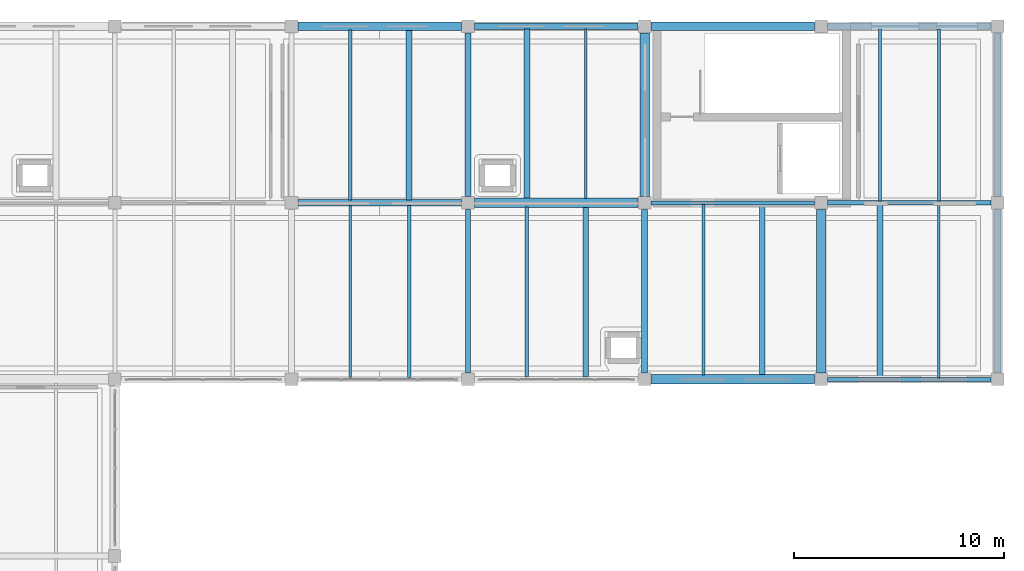
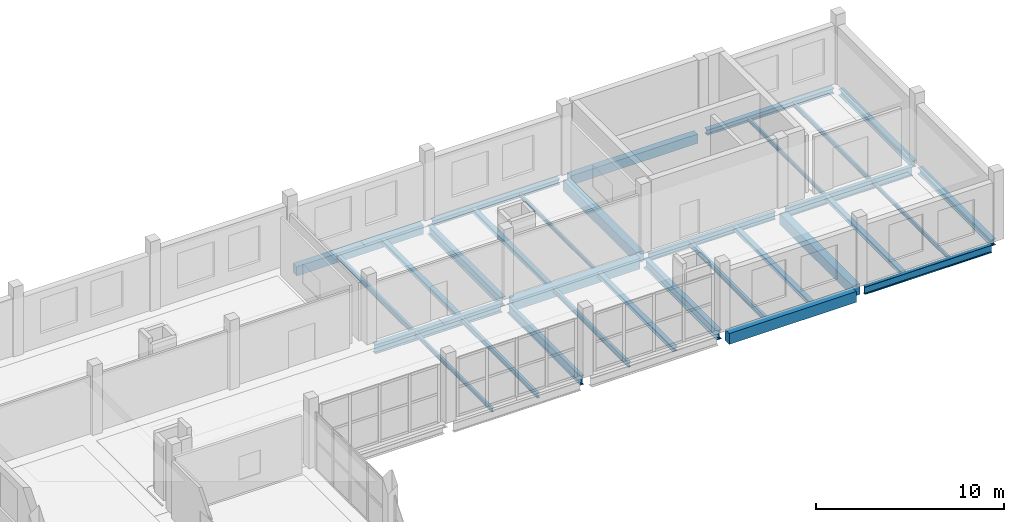
# One storey, part 33 of 54: 31 beams.
"""IFC4 building model written with IfcOpenShell, lengths in metres."""

import ifcopenshell
import ifcopenshell.guid

model = None  # the IFC model being written
_history = None  # IfcOwnerHistory: only IFC2X3 demands one
_inside = {}  # id of a spatial element -> (the spatial element, [elements in it])
_under = {}  # id of a project, library or spatial element -> (it, [spatial elements below it])
_declared = {}  # id of a project -> (the project, [libraries it declares])
_typed = {}  # id of a type object -> (the type object, [elements of that type])
_made_of = {}  # id of a material, layer set ... -> (it, [elements and type objects made of it])


def new_model(schema):
    """Start an empty IFC model of exactly this schema.

    Asked for "IFC4X3", IfcOpenShell would pick the latest addendum, in which some entities
    have other attributes; the version numbers below select the first issue.
    IFC2X3 requires an IfcOwnerHistory on every rooted entity: one is made here for all.
    """
    global model, _history
    if schema == "IFC4X3":
        model = ifcopenshell.file(schema_version=(4, 3, 0, 0))
    else:
        model = ifcopenshell.file(schema=schema)
    _inside.clear()
    _under.clear()
    _declared.clear()
    _typed.clear()
    _made_of.clear()
    _history = None
    if model.schema == "IFC2X3":
        org = make("IfcOrganization", Name="unknown")
        user = make(
            "IfcPersonAndOrganization",
            ThePerson=make("IfcPerson", FamilyName="unknown"),
            TheOrganization=org,
        )
        app = make(
            "IfcApplication",
            ApplicationDeveloper=org,
            Version="unknown",
            ApplicationFullName="unknown",
            ApplicationIdentifier="unknown",
        )
        _history = make(
            "IfcOwnerHistory",
            OwningUser=user,
            OwningApplication=app,
            ChangeAction="ADDED",
            CreationDate=0,
        )
    return model


def make(cls, **values):
    """One entity of the class cls with the attributes given. An attribute that is None is left unset."""
    return model.create_entity(
        cls, **{name: value for name, value in values.items() if value is not None}
    )


def rooted(cls, **values):
    """An entity with a GlobalId (a new one), such as an element, a storey or a relation."""
    return make(cls, GlobalId=ifcopenshell.guid.new(), OwnerHistory=_history, **values)


def si_unit(unit_type, name, prefix=None):
    """IfcSIUnit, for example si_unit("LENGTHUNIT", "METRE", prefix="MILLI")."""
    return make("IfcSIUnit", UnitType=unit_type, Prefix=prefix, Name=name)


def assignment(units):
    """IfcUnitAssignment: the units of a project."""
    return None if units is None else make("IfcUnitAssignment", Units=units)


def point(xyz):
    """IfcCartesianPoint."""
    return None if xyz is None else make("IfcCartesianPoint", Coordinates=xyz)


def direction(xyz):
    """IfcDirection."""
    return None if xyz is None else make("IfcDirection", DirectionRatios=xyz)


def frame(location, z_axis=None, x_axis=None):
    """IfcAxis2Placement3D, a coordinate frame: its origin and axes. An axis left out is left unset."""
    return make(
        "IfcAxis2Placement3D",
        Location=point(location),
        Axis=direction(z_axis),
        RefDirection=direction(x_axis),
    )


def frame_2d(location, x_axis=None):
    """IfcAxis2Placement2D, a coordinate frame in the plane: its origin and x axis."""
    return make(
        "IfcAxis2Placement2D", Location=point(location), RefDirection=direction(x_axis)
    )


def origin():
    """The frame at (0, 0, 0) with its axes left unset."""
    return frame((0.0, 0.0, 0.0))


def origin_2d():
    """The frame at (0, 0) in the plane with its x axis left unset."""
    return frame_2d((0.0, 0.0))


def place(relative_to, where):
    """IfcLocalPlacement: puts the frame where relative to a parent placement (None: the world)."""
    return make(
        "IfcLocalPlacement", PlacementRelTo=relative_to, RelativePlacement=where
    )


def context(
    kind, dimensions, precision=None, world=None, true_north=None, identifier=None
):
    """IfcGeometricRepresentationContext, for example the 3D "Model" context."""
    return make(
        "IfcGeometricRepresentationContext",
        ContextIdentifier=identifier,
        ContextType=kind,
        CoordinateSpaceDimension=dimensions,
        Precision=precision,
        WorldCoordinateSystem=world,
        TrueNorth=true_north,
    )


def subcontext(parent, identifier, kind, view, scale=None):
    """IfcGeometricRepresentationSubContext, for example "Body" below "Model"."""
    return make(
        "IfcGeometricRepresentationSubContext",
        ContextIdentifier=identifier,
        ContextType=kind,
        ParentContext=parent,
        TargetScale=scale,
        TargetView=view,
    )


def project(units=None, contexts=None):
    """IfcProject with its units and contexts."""
    return rooted(
        "IfcProject",
        Name="project",
        RepresentationContexts=contexts,
        UnitsInContext=assignment(units),
    )


def spatial(cls, under=None, at=None, **own):
    """A site, building, storey or space (cls), placed at a placement, below another one or the project."""
    s = rooted(cls, ObjectPlacement=at, **own)
    if under is not None:
        _under.setdefault(under.id(), (under, []))[1].append(s)
    return s


def profile(cls, at=None, kind="AREA", **sizes):
    """A parametric profile (cls). Its sizes go by their IFC names, for example OverallWidth=200.0."""
    return make(cls, ProfileType=kind, Position=at, **sizes)


def rectangle(**sizes):
    """IfcRectangleProfileDef."""
    return profile("IfcRectangleProfileDef", **sizes)


def i_section(**sizes):
    """IfcIShapeProfileDef."""
    return profile("IfcIShapeProfileDef", **sizes)


def extrude(swept, where, along, depth):
    """IfcExtrudedAreaSolid: the profile swept, set in the frame where, extruded along a direction by depth."""
    return make(
        "IfcExtrudedAreaSolid",
        SweptArea=swept,
        Position=where,
        ExtrudedDirection=direction(along),
        Depth=depth,
    )


def shape(context_of_items, identifier, shape_type, items):
    """IfcShapeRepresentation: the items that make up one representation, for example the "Body"."""
    return make(
        "IfcShapeRepresentation",
        ContextOfItems=context_of_items,
        RepresentationIdentifier=identifier,
        RepresentationType=shape_type,
        Items=items,
    )


def material(Name=None, Category=None):
    """IfcMaterial."""
    return make("IfcMaterial", Name=Name, Category=Category)


def material_profile(
    of_material, cross_section, Name=None, Category=None, Priority=None
):
    """IfcMaterialProfile: a cross section and its material."""
    return make(
        "IfcMaterialProfile",
        Name=Name,
        Material=of_material,
        Profile=cross_section,
        Priority=Priority,
        Category=Category,
    )


def profile_set(profiles, Name=None, composite=None):
    """IfcMaterialProfileSet."""
    return make(
        "IfcMaterialProfileSet",
        Name=Name,
        MaterialProfiles=profiles,
        CompositeProfile=composite,
    )


def made_of(thing, what):
    """Note that an element or type object is made of a material, layer set ...; save() writes the relation."""
    if what is not None:
        _made_of.setdefault(what.id(), (what, []))[1].append(thing)
    return thing


def type_object(cls, material=None, **own):
    """A type object (cls), such as IfcWallType, which elements share."""
    return made_of(rooted(cls, **own), material)


def element(
    cls,
    number,
    at=None,
    inside=None,
    cuts=None,
    type_object=None,
    material=None,
    context=None,
    identifier="Body",
    shape_type=None,
    held_by="IfcProductDefinitionShape",
    body=None,
    shapes=None,
    **own,
):
    """One element of the class cls, such as IfcWall. Its Tag is "e" and its number.

    at: its placement. inside: the storey or other place that contains it. cuts: it is an
    opening in that element (IfcRelVoidsElement). A single representation is given by context,
    identifier, shape_type and body (its items); several are given by shapes. held_by: the class
    of the entity that holds the representations. save() writes the other relations.
    """
    e = rooted(cls, Tag="e%d" % number, ObjectPlacement=at, **own)
    if body is not None:
        shapes = [shape(context, identifier, shape_type, body)]
    if shapes is not None:
        e.Representation = make(held_by, Representations=shapes)
    if inside is not None:
        _inside.setdefault(inside.id(), (inside, []))[1].append(e)
    if cuts is not None:
        rooted(
            "IfcRelVoidsElement", RelatingBuildingElement=cuts, RelatedOpeningElement=e
        )
    if type_object is not None:
        _typed.setdefault(type_object.id(), (type_object, []))[1].append(e)
    return made_of(e, material)


def aggregate(whole, parts):
    """IfcRelAggregates: a whole, such as a stair, and the parts it consists of."""
    return rooted("IfcRelAggregates", RelatingObject=whole, RelatedObjects=parts)


def save(model, path):
    """Write the relations noted so far, then the file.

    IfcRelAggregates (storeys below a building ...), IfcRelContainedInSpatialStructure (elements
    in a storey), IfcRelDefinesByType, IfcRelAssociatesMaterial and IfcRelDeclares: one each for
    every whole, place, type object, material and project.
    """
    for whole, parts in _under.values():
        aggregate(whole, parts)
    for where, things in _inside.values():
        rooted(
            "IfcRelContainedInSpatialStructure",
            RelatedElements=things,
            RelatingStructure=where,
        )
    for kind, things in _typed.values():
        rooted("IfcRelDefinesByType", RelatedObjects=things, RelatingType=kind)
    for what, things in _made_of.values():
        rooted("IfcRelAssociatesMaterial", RelatedObjects=things, RelatingMaterial=what)
    for by, libraries in _declared.values():
        rooted("IfcRelDeclares", RelatingContext=by, RelatedDefinitions=libraries)
    model.write(path)


model = new_model("IFC4")

# Units and contexts
model_context = context("Model", 3, precision=1e-05, world=origin(), true_north=direction((0.0, 1.0)))
body_context = subcontext(model_context, "Body", "Model", "MODEL_VIEW")
ifc_project = project(units=[si_unit("LENGTHUNIT", "METRE"), si_unit("AREAUNIT", "SQUARE_METRE"), si_unit("VOLUMEUNIT", "CUBIC_METRE"), si_unit("PLANEANGLEUNIT", "RADIAN"), si_unit("MASSUNIT", "GRAM", prefix="KILO")], contexts=[model_context])

# Site, building, storey
site_placement = place(None, origin())
site = spatial("IfcSite", under=ifc_project, at=site_placement, CompositionType="ELEMENT")
building_placement = place(site_placement, origin())
building = spatial("IfcBuilding", under=site, at=building_placement, Name="Zulmaris Art Gallery", CompositionType="ELEMENT")
storey_placement = place(building_placement, frame((0.0, 0.0, 26.39990234375)))
storey = spatial("IfcBuildingStorey", under=building, at=storey_placement, Name="L05", CompositionType="ELEMENT", Elevation=26.39990234375)

# Beams
ifc_material_1 = material(Name="Steel S355J2", Category="steel")
ifc_material_profile_1 = material_profile(ifc_material_1, i_section(OverallWidth=0.199951171875, OverallDepth=0.5, WebThickness=0.01025390625, FlangeThickness=0.01611328125, FilletRadius=0.02099609375, at=origin_2d()), Name="IPE 500")
ifc_profile_set_1 = profile_set([ifc_material_profile_1], Name="Steel S355J2")
beam_type_1 = type_object("IfcBeamType", Name="BEAM-BM05", PredefinedType="BEAM", material=ifc_profile_set_1)
for number, where, z_axis, x_axis, name in (
    (1, (192.31005859375, 58.800048828125, -0.559814453125), (1.0, 0.0, 0.0), (0.0, 1.0, 0.0), "L05 X-girder (192.0..200.4, y=58.8)"),
    (2, (183.909912109375, 67.199951171875, -0.559814453125), (1.0, 0.0, 0.0), (0.0, 1.0, 0.0), "L05 X-girder (183.6..192.0, y=67.2)"),
):
    element("IfcBeam", number, at=place(storey_placement, frame(where, z_axis=z_axis, x_axis=x_axis)), inside=storey, type_object=beam_type_1, Name=name, PredefinedType="BEAM", context=body_context, shape_type="SweptSolid", body=[
        extrude(i_section(OverallWidth=0.199951171875, OverallDepth=0.5, WebThickness=0.01025390625, FlangeThickness=0.01611328125, FilletRadius=0.02099609375, at=origin_2d()), origin(), (0.0, 0.0, 1.0), 7.780029296875),
    ])
ifc_material_profile_2 = material_profile(ifc_material_1, i_section(OverallWidth=0.219970703125, OverallDepth=0.60009765625, WebThickness=0.011962890625, FlangeThickness=0.01904296875, FilletRadius=0.02392578125, at=origin_2d()), Name="IPE 600")
ifc_profile_set_2 = profile_set([ifc_material_profile_2], Name="Steel S355J2")
beam_type_2 = type_object("IfcBeamType", Name="BEAM-BM07", PredefinedType="BEAM", material=ifc_profile_set_2)
beam_1_placement = place(storey_placement, frame((192.31005859375, 67.199951171875, -0.60986328125), z_axis=(1.0, 0.0, 0.0), x_axis=(0.0, 1.0, 0.0)))
element("IfcBeam", 3, at=beam_1_placement, inside=storey, type_object=beam_type_2, Name="L05 X-girder (192.0..200.4, y=67.2)", PredefinedType="BEAM", context=body_context, shape_type="SweptSolid", body=[
    extrude(i_section(OverallWidth=0.219970703125, OverallDepth=0.60009765625, WebThickness=0.011962890625, FlangeThickness=0.01904296875, FilletRadius=0.02392578125, at=origin_2d()), origin(), (0.0, 0.0, 1.0), 7.780029296875),
])
beam_2_placement = place(storey_placement, frame((175.199951171875, 59.110107421875, -0.60986328125), z_axis=(0.0, 1.0, 0.0), x_axis=(-1.0, 0.0, 0.0)))
element("IfcBeam", 4, at=beam_2_placement, inside=storey, type_object=beam_type_2, Name="L05 Y-girder (x=175.2, 58.8..67.2)", PredefinedType="BEAM", context=body_context, shape_type="SweptSolid", body=[
    extrude(i_section(OverallWidth=0.219970703125, OverallDepth=0.60009765625, WebThickness=0.011962890625, FlangeThickness=0.01904296875, FilletRadius=0.02392578125, at=origin_2d()), origin(), (0.0, 0.0, 1.0), 7.77978515625),
])
ifc_material_profile_3 = material_profile(ifc_material_1, i_section(OverallWidth=0.300048828125, OverallDepth=0.60009765625, WebThickness=0.015380859375, FlangeThickness=0.030029296875, FilletRadius=0.027099609375, at=origin_2d()), Name="HEB 600")
ifc_profile_set_3 = profile_set([ifc_material_profile_3], Name="Steel S355J2")
beam_type_3 = type_object("IfcBeamType", Name="BEAM-BM15", PredefinedType="BEAM", material=ifc_profile_set_3)
beam_3_placement = place(storey_placement, frame((167.110107421875, 67.199951171875, -0.60986328125), z_axis=(1.0, 0.0, 0.0), x_axis=(0.0, 1.0, 0.0)))
element("IfcBeam", 5, at=beam_3_placement, inside=storey, type_object=beam_type_3, Name="L05 X-girder (166.8..175.2, y=67.2)", PredefinedType="BEAM", context=body_context, shape_type="SweptSolid", body=[
    extrude(i_section(OverallWidth=0.300048828125, OverallDepth=0.60009765625, WebThickness=0.015380859375, FlangeThickness=0.030029296875, FilletRadius=0.027099609375, at=origin_2d()), origin(), (0.0, 0.0, 1.0), 7.77978515625),
])
beam_4_placement = place(storey_placement, frame((175.199951171875, 67.510009765625, -0.60986328125), z_axis=(0.0, 1.0, 0.0), x_axis=(-1.0, 0.0, 0.0)))
element("IfcBeam", 6, at=beam_4_placement, inside=storey, type_object=beam_type_3, Name="L05 Y-girder (x=175.2, 67.2..75.6)", PredefinedType="BEAM", context=body_context, shape_type="SweptSolid", body=[
    extrude(i_section(OverallWidth=0.300048828125, OverallDepth=0.60009765625, WebThickness=0.015380859375, FlangeThickness=0.030029296875, FilletRadius=0.027099609375, at=origin_2d()), origin(), (0.0, 0.0, 1.0), 7.780029296875),
])
beam_5_placement = place(storey_placement, frame((183.60009765625, 59.110107421875, -0.60986328125), z_axis=(0.0, 1.0, 0.0), x_axis=(-1.0, 0.0, 0.0)))
element("IfcBeam", 7, at=beam_5_placement, inside=storey, type_object=beam_type_3, Name="L05 Y-girder (x=183.6, 58.8..67.2)", PredefinedType="BEAM", context=body_context, shape_type="SweptSolid", body=[
    extrude(i_section(OverallWidth=0.300048828125, OverallDepth=0.60009765625, WebThickness=0.015380859375, FlangeThickness=0.030029296875, FilletRadius=0.027099609375, at=origin_2d()), origin(), (0.0, 0.0, 1.0), 7.77978515625),
])
ifc_material_2 = material(Name="Concrete C40/50", Category="concrete")
ifc_material_profile_4 = material_profile(ifc_material_2, rectangle(XDim=0.449951171875, YDim=0.699951171875, at=origin_2d()), Name="RC 450x700")
ifc_profile_set_4 = profile_set([ifc_material_profile_4], Name="Concrete C40/50")
beam_type_4 = type_object("IfcBeamType", Name="BEAM-BM19", PredefinedType="BEAM", material=ifc_profile_set_4)
for number, where, z_axis, x_axis, name in (
    (8, (183.909912109375, 58.800048828125, -0.659912109375), (1.0, 0.0, 0.0), (0.0, 1.0, 0.0), "L05 X-girder (183.6..192.0, y=58.8)"),
    (9, (175.510009765625, 67.199951171875, -0.659912109375), (1.0, 0.0, 0.0), (0.0, 1.0, 0.0), "L05 X-girder (175.2..183.6, y=67.2)"),
    (10, (183.60009765625, 67.510009765625, -0.659912109375), (0.0, 1.0, 0.0), (-1.0, 0.0, 0.0), "L05 Y-girder (x=183.6, 67.2..75.6)"),
):
    element("IfcBeam", number, at=place(storey_placement, frame(where, z_axis=z_axis, x_axis=x_axis)), inside=storey, type_object=beam_type_4, Name=name, PredefinedType="BEAM", context=body_context, shape_type="SweptSolid", body=[
        extrude(rectangle(XDim=0.449951171875, YDim=0.699951171875, at=origin_2d()), origin(), (0.0, 0.0, 1.0), 7.780029296875),
    ])
beam_6_placement = place(storey_placement, frame((192.0, 59.110107421875, -0.659912109375), z_axis=(0.0, 1.0, 0.0), x_axis=(-1.0, 0.0, 0.0)))
element("IfcBeam", 11, at=beam_6_placement, inside=storey, type_object=beam_type_4, Name="L05 Y-girder (x=192.0, 58.8..67.2)", PredefinedType="BEAM", context=body_context, shape_type="SweptSolid", body=[
    extrude(rectangle(XDim=0.449951171875, YDim=0.699951171875, at=origin_2d()), origin(), (0.0, 0.0, 1.0), 7.77978515625),
])
ifc_material_profile_5 = material_profile(ifc_material_1, i_section(OverallWidth=0.1201171875, OverallDepth=0.239990234375, WebThickness=0.006103515625, FlangeThickness=0.009765625, FilletRadius=0.014892578125, at=origin_2d()), Name="IPE 240")
ifc_profile_set_5 = profile_set([ifc_material_profile_5], Name="Steel S355J2")
beam_type_5 = type_object("IfcBeamType", Name="BEAM-JS01", PredefinedType="JOIST", material=ifc_profile_set_5)
beam_7_placement = place(storey_placement, frame((180.800048828125, 67.39990234375, -0.429931640625), z_axis=(0.0, 1.0, 0.0), x_axis=(-1.0, 0.0, 0.0)))
element("IfcBeam", 12, at=beam_7_placement, inside=storey, type_object=beam_type_5, Name="L05 secondary joist at x=180.8", PredefinedType="JOIST", context=body_context, shape_type="SweptSolid", body=[
    extrude(i_section(OverallWidth=0.1201171875, OverallDepth=0.239990234375, WebThickness=0.006103515625, FlangeThickness=0.009765625, FilletRadius=0.014892578125, at=origin_2d()), origin(), (0.0, 0.0, 1.0), 8.0751953125),
])
beam_8_placement = place(storey_placement, frame((197.60009765625, 58.875, -0.429931640625), z_axis=(0.0, 1.0, 0.0), x_axis=(-1.0, 0.0, 0.0)))
element("IfcBeam", 13, at=beam_8_placement, inside=storey, type_object=beam_type_5, Name="L05 secondary joist at x=197.6", PredefinedType="JOIST", context=body_context, shape_type="SweptSolid", body=[
    extrude(i_section(OverallWidth=0.1201171875, OverallDepth=0.239990234375, WebThickness=0.006103515625, FlangeThickness=0.009765625, FilletRadius=0.014892578125, at=origin_2d()), origin(), (0.0, 0.0, 1.0), 8.239990234375),
])
beam_9_placement = place(storey_placement, frame((194.800048828125, 67.284912109375, -0.429931640625), z_axis=(0.0, 1.0, 0.0), x_axis=(-1.0, 0.0, 0.0)))
element("IfcBeam", 14, at=beam_9_placement, inside=storey, type_object=beam_type_5, Name="L05 secondary joist at x=194.8", PredefinedType="JOIST", context=body_context, shape_type="SweptSolid", body=[
    extrude(i_section(OverallWidth=0.1201171875, OverallDepth=0.239990234375, WebThickness=0.006103515625, FlangeThickness=0.009765625, FilletRadius=0.014892578125, at=origin_2d()), origin(), (0.0, 0.0, 1.0), 8.190185546875),
])
ifc_material_profile_6 = material_profile(ifc_material_1, i_section(OverallWidth=0.135009765625, OverallDepth=0.27001953125, WebThickness=0.006591796875, FlangeThickness=0.01025390625, FilletRadius=0.014892578125, at=origin_2d()), Name="IPE 270")
ifc_profile_set_6 = profile_set([ifc_material_profile_6], Name="Steel S355J2")
beam_type_6 = type_object("IfcBeamType", Name="BEAM-JS02", PredefinedType="JOIST", material=ifc_profile_set_6)
beam_10_placement = place(storey_placement, frame((169.60009765625, 58.885009765625, -0.44482421875), z_axis=(0.0, 1.0, 0.0), x_axis=(-1.0, 0.0, 0.0)))
element("IfcBeam", 15, at=beam_10_placement, inside=storey, type_object=beam_type_6, Name="L05 secondary joist at x=169.6", PredefinedType="JOIST", context=body_context, shape_type="SweptSolid", body=[
    extrude(i_section(OverallWidth=0.135009765625, OverallDepth=0.27001953125, WebThickness=0.006591796875, FlangeThickness=0.01025390625, FilletRadius=0.014892578125, at=origin_2d()), origin(), (0.0, 0.0, 1.0), 8.18994140625),
])
beam_11_placement = place(storey_placement, frame((197.60009765625, 67.284912109375, -0.44482421875), z_axis=(0.0, 1.0, 0.0), x_axis=(-1.0, 0.0, 0.0)))
element("IfcBeam", 16, at=beam_11_placement, inside=storey, type_object=beam_type_6, Name="L05 secondary joist at x=197.6", PredefinedType="JOIST", context=body_context, shape_type="SweptSolid", body=[
    extrude(i_section(OverallWidth=0.135009765625, OverallDepth=0.27001953125, WebThickness=0.006591796875, FlangeThickness=0.01025390625, FilletRadius=0.014892578125, at=origin_2d()), origin(), (0.0, 0.0, 1.0), 8.190185546875),
])
ifc_material_profile_7 = material_profile(ifc_material_1, i_section(OverallWidth=0.159912109375, OverallDepth=0.330078125, WebThickness=0.007568359375, FlangeThickness=0.011474609375, FilletRadius=0.01806640625, at=origin_2d()), Name="IPE 330")
ifc_profile_set_7 = profile_set([ifc_material_profile_7], Name="Steel S355J2")
beam_type_7 = type_object("IfcBeamType", Name="BEAM-JS03", PredefinedType="JOIST", material=ifc_profile_set_7)
beam_12_placement = place(storey_placement, frame((172.39990234375, 58.885009765625, -0.474853515625), z_axis=(0.0, 1.0, 0.0), x_axis=(-1.0, 0.0, 0.0)))
element("IfcBeam", 17, at=beam_12_placement, inside=storey, type_object=beam_type_7, Name="L05 secondary joist at x=172.4", PredefinedType="JOIST", context=body_context, shape_type="SweptSolid", body=[
    extrude(i_section(OverallWidth=0.159912109375, OverallDepth=0.330078125, WebThickness=0.007568359375, FlangeThickness=0.011474609375, FilletRadius=0.01806640625, at=origin_2d()), origin(), (0.0, 0.0, 1.0), 8.18994140625),
])
beam_13_placement = place(storey_placement, frame((169.60009765625, 67.324951171875, -0.474853515625), z_axis=(0.0, 1.0, 0.0), x_axis=(-1.0, 0.0, 0.0)))
element("IfcBeam", 18, at=beam_13_placement, inside=storey, type_object=beam_type_7, Name="L05 secondary joist at x=169.6", PredefinedType="JOIST", context=body_context, shape_type="SweptSolid", body=[
    extrude(i_section(OverallWidth=0.159912109375, OverallDepth=0.330078125, WebThickness=0.007568359375, FlangeThickness=0.011474609375, FilletRadius=0.01806640625, at=origin_2d()), origin(), (0.0, 0.0, 1.0), 8.10009765625),
])
beam_14_placement = place(storey_placement, frame((178.0, 58.925048828125, -0.474853515625), z_axis=(0.0, 1.0, 0.0), x_axis=(-1.0, 0.0, 0.0)))
element("IfcBeam", 19, at=beam_14_placement, inside=storey, type_object=beam_type_7, Name="L05 secondary joist at x=178.0", PredefinedType="JOIST", context=body_context, shape_type="SweptSolid", body=[
    extrude(i_section(OverallWidth=0.159912109375, OverallDepth=0.330078125, WebThickness=0.007568359375, FlangeThickness=0.011474609375, FilletRadius=0.01806640625, at=origin_2d()), origin(), (0.0, 0.0, 1.0), 8.074951171875),
])
beam_15_placement = place(storey_placement, frame((186.39990234375, 59.0, -0.474853515625), z_axis=(0.0, 1.0, 0.0), x_axis=(-1.0, 0.0, 0.0)))
element("IfcBeam", 20, at=beam_15_placement, inside=storey, type_object=beam_type_7, Name="L05 secondary joist at x=186.4", PredefinedType="JOIST", context=body_context, shape_type="SweptSolid", body=[
    extrude(i_section(OverallWidth=0.159912109375, OverallDepth=0.330078125, WebThickness=0.007568359375, FlangeThickness=0.011474609375, FilletRadius=0.01806640625, at=origin_2d()), origin(), (0.0, 0.0, 1.0), 8.125),
])
ifc_material_profile_8 = material_profile(ifc_material_1, i_section(OverallWidth=0.280029296875, OverallDepth=0.27001953125, WebThickness=0.008056640625, FlangeThickness=0.012939453125, FilletRadius=0.02392578125, at=origin_2d()), Name="HEA 280")
ifc_profile_set_8 = profile_set([ifc_material_profile_8], Name="Steel S355J2")
beam_type_8 = type_object("IfcBeamType", Name="BEAM-JS04", PredefinedType="JOIST", material=ifc_profile_set_8)
beam_16_placement = place(storey_placement, frame((172.39990234375, 67.324951171875, -0.44482421875), z_axis=(0.0, 1.0, 0.0), x_axis=(-1.0, 0.0, 0.0)))
element("IfcBeam", 21, at=beam_16_placement, inside=storey, type_object=beam_type_8, Name="L05 secondary joist at x=172.4", PredefinedType="JOIST", context=body_context, shape_type="SweptSolid", body=[
    extrude(i_section(OverallWidth=0.280029296875, OverallDepth=0.27001953125, WebThickness=0.008056640625, FlangeThickness=0.012939453125, FilletRadius=0.02392578125, at=origin_2d()), origin(), (0.0, 0.0, 1.0), 8.10009765625),
])
beam_17_placement = place(storey_placement, frame((180.800048828125, 58.925048828125, -0.44482421875), z_axis=(0.0, 1.0, 0.0), x_axis=(-1.0, 0.0, 0.0)))
element("IfcBeam", 22, at=beam_17_placement, inside=storey, type_object=beam_type_8, Name="L05 secondary joist at x=180.8", PredefinedType="JOIST", context=body_context, shape_type="SweptSolid", body=[
    extrude(i_section(OverallWidth=0.280029296875, OverallDepth=0.27001953125, WebThickness=0.008056640625, FlangeThickness=0.012939453125, FilletRadius=0.02392578125, at=origin_2d()), origin(), (0.0, 0.0, 1.0), 8.074951171875),
])
beam_18_placement = place(storey_placement, frame((178.0, 67.39990234375, -0.44482421875), z_axis=(0.0, 1.0, 0.0), x_axis=(-1.0, 0.0, 0.0)))
element("IfcBeam", 23, at=beam_18_placement, inside=storey, type_object=beam_type_8, Name="L05 secondary joist at x=178.0", PredefinedType="JOIST", context=body_context, shape_type="SweptSolid", body=[
    extrude(i_section(OverallWidth=0.280029296875, OverallDepth=0.27001953125, WebThickness=0.008056640625, FlangeThickness=0.012939453125, FilletRadius=0.02392578125, at=origin_2d()), origin(), (0.0, 0.0, 1.0), 8.0751953125),
])
beam_19_placement = place(storey_placement, frame((189.199951171875, 59.0, -0.44482421875), z_axis=(0.0, 1.0, 0.0), x_axis=(-1.0, 0.0, 0.0)))
element("IfcBeam", 24, at=beam_19_placement, inside=storey, type_object=beam_type_8, Name="L05 secondary joist at x=189.2", PredefinedType="JOIST", context=body_context, shape_type="SweptSolid", body=[
    extrude(i_section(OverallWidth=0.280029296875, OverallDepth=0.27001953125, WebThickness=0.008056640625, FlangeThickness=0.012939453125, FilletRadius=0.02392578125, at=origin_2d()), origin(), (0.0, 0.0, 1.0), 8.125),
])
beam_20_placement = place(storey_placement, frame((194.800048828125, 58.875, -0.44482421875), z_axis=(0.0, 1.0, 0.0), x_axis=(-1.0, 0.0, 0.0)))
element("IfcBeam", 25, at=beam_20_placement, inside=storey, type_object=beam_type_8, Name="L05 secondary joist at x=194.8", PredefinedType="JOIST", context=body_context, shape_type="SweptSolid", body=[
    extrude(i_section(OverallWidth=0.280029296875, OverallDepth=0.27001953125, WebThickness=0.008056640625, FlangeThickness=0.012939453125, FilletRadius=0.02392578125, at=origin_2d()), origin(), (0.0, 0.0, 1.0), 8.239990234375),
])
ifc_material_profile_9 = material_profile(ifc_material_1, i_section(OverallWidth=0.300048828125, OverallDepth=0.35009765625, WebThickness=0.010009765625, FlangeThickness=0.017578125, FilletRadius=0.027099609375, at=origin_2d()), Name="HEA 360")
ifc_profile_set_9 = profile_set([ifc_material_profile_9], Name="Steel S355J2")
beam_type_9 = type_object("IfcBeamType", Name="BEAM-SP01", PredefinedType="SPANDREL", material=ifc_profile_set_9)
for number, where, z_axis, x_axis, name in (
    (26, (175.510009765625, 75.60009765625, -0.48486328125), (1.0, 0.0, 0.0), (0.0, 1.0, 0.0), "L05 X-girder (175.2..183.6, y=75.6)"),
    (27, (192.31005859375, 75.60009765625, -0.48486328125), (1.0, 0.0, 0.0), (0.0, 1.0, 0.0), "L05 X-girder (192.0..200.4, y=75.6)"),
):
    element("IfcBeam", number, at=place(storey_placement, frame(where, z_axis=z_axis, x_axis=x_axis)), inside=storey, type_object=beam_type_9, Name=name, PredefinedType="SPANDREL", context=body_context, shape_type="SweptSolid", body=[
        extrude(i_section(OverallWidth=0.300048828125, OverallDepth=0.35009765625, WebThickness=0.010009765625, FlangeThickness=0.017578125, FilletRadius=0.027099609375, at=origin_2d()), origin(), (0.0, 0.0, 1.0), 7.780029296875),
    ])
ifc_material_profile_10 = material_profile(ifc_material_1, i_section(OverallWidth=0.300048828125, OverallDepth=0.39990234375, WebThickness=0.013427734375, FlangeThickness=0.02392578125, FilletRadius=0.027099609375, at=origin_2d()), Name="HEB 400")
ifc_profile_set_10 = profile_set([ifc_material_profile_10], Name="Steel S355J2")
beam_type_10 = type_object("IfcBeamType", Name="BEAM-SP02", PredefinedType="SPANDREL", material=ifc_profile_set_10)
beam_21_placement = place(storey_placement, frame((200.39990234375, 59.110107421875, -0.510009765625), z_axis=(0.0, 1.0, 0.0), x_axis=(-1.0, 0.0, 0.0)))
element("IfcBeam", 28, at=beam_21_placement, inside=storey, type_object=beam_type_10, Name="L05 Y-girder (x=200.4, 58.8..67.2)", PredefinedType="SPANDREL", context=body_context, shape_type="SweptSolid", body=[
    extrude(i_section(OverallWidth=0.300048828125, OverallDepth=0.39990234375, WebThickness=0.013427734375, FlangeThickness=0.02392578125, FilletRadius=0.027099609375, at=origin_2d()), origin(), (0.0, 0.0, 1.0), 7.77978515625),
])
beam_22_placement = place(storey_placement, frame((200.39990234375, 67.510009765625, -0.510009765625), z_axis=(0.0, 1.0, 0.0), x_axis=(-1.0, 0.0, 0.0)))
element("IfcBeam", 29, at=beam_22_placement, inside=storey, type_object=beam_type_10, Name="L05 Y-girder (x=200.4, 67.2..75.6)", PredefinedType="SPANDREL", context=body_context, shape_type="SweptSolid", body=[
    extrude(i_section(OverallWidth=0.300048828125, OverallDepth=0.39990234375, WebThickness=0.013427734375, FlangeThickness=0.02392578125, FilletRadius=0.027099609375, at=origin_2d()), origin(), (0.0, 0.0, 1.0), 7.780029296875),
])
ifc_material_profile_11 = material_profile(ifc_material_2, rectangle(XDim=0.39990234375, YDim=0.60009765625, at=origin_2d()), Name="RC 400x600")
ifc_profile_set_11 = profile_set([ifc_material_profile_11], Name="Concrete C40/50")
beam_type_11 = type_object("IfcBeamType", Name="BEAM-SP03", PredefinedType="SPANDREL", material=ifc_profile_set_11)
beam_23_placement = place(storey_placement, frame((167.110107421875, 75.60009765625, -0.60986328125), z_axis=(1.0, 0.0, 0.0), x_axis=(0.0, 1.0, 0.0)))
element("IfcBeam", 30, at=beam_23_placement, inside=storey, type_object=beam_type_11, Name="L05 X-girder (166.8..175.2, y=75.6)", PredefinedType="SPANDREL", context=body_context, shape_type="SweptSolid", body=[
    extrude(rectangle(XDim=0.39990234375, YDim=0.60009765625, at=origin_2d()), origin(), (0.0, 0.0, 1.0), 7.77978515625),
])
beam_24_placement = place(storey_placement, frame((183.909912109375, 75.60009765625, -0.60986328125), z_axis=(1.0, 0.0, 0.0), x_axis=(0.0, 1.0, 0.0)))
element("IfcBeam", 31, at=beam_24_placement, inside=storey, type_object=beam_type_11, Name="L05 X-girder (183.6..192.0, y=75.6)", PredefinedType="SPANDREL", context=body_context, shape_type="SweptSolid", body=[
    extrude(rectangle(XDim=0.39990234375, YDim=0.60009765625, at=origin_2d()), origin(), (0.0, 0.0, 1.0), 7.780029296875),
])

save(model, "model.ifc")
